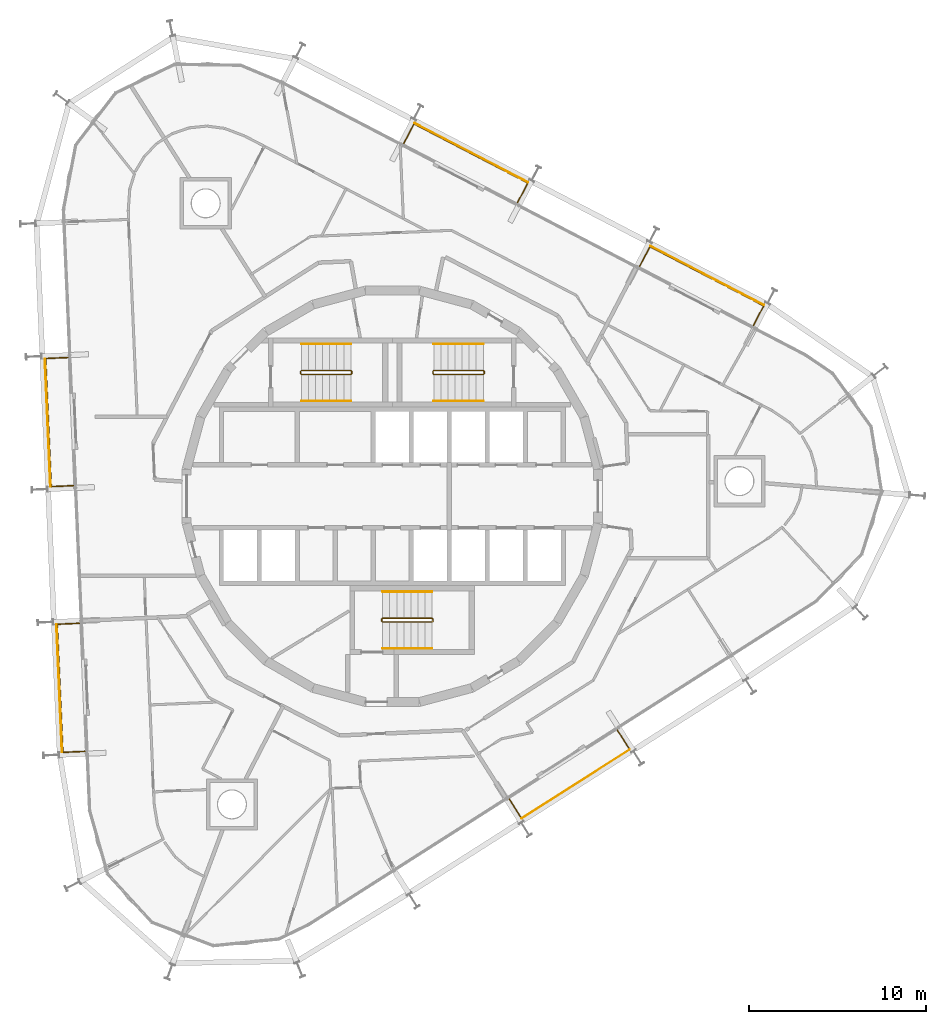
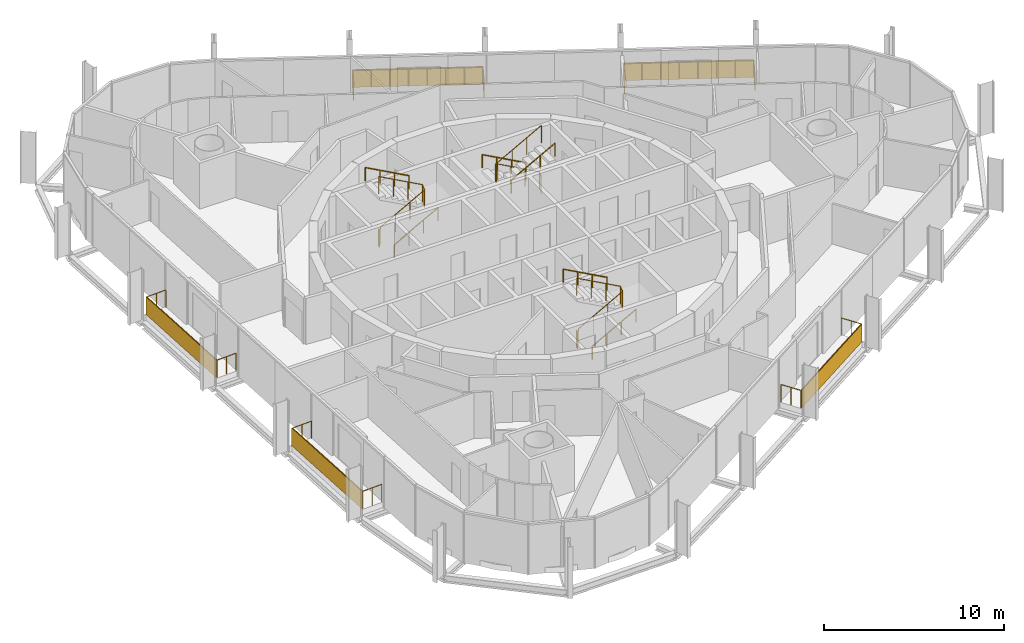
# One storey, part 17 of 17: 14 railings, 5 shading devices.
"""IFC4 building model written with IfcOpenShell, lengths in metres."""

from ifc_helpers import new_model, si_unit, direction, frame, origin, origin_2d, place, context, subcontext, project, spatial, rectangle, circle, extrude, material, layer, layer_set, type_object, element, save


model = new_model("IFC4")

# Units and contexts
model_context = context("Model", 3, precision=1e-05, world=origin(), true_north=direction((0.0, 1.0)))
body_context = subcontext(model_context, "Body", "Model", "MODEL_VIEW")
ifc_project = project(units=[si_unit("LENGTHUNIT", "METRE"), si_unit("AREAUNIT", "SQUARE_METRE"), si_unit("VOLUMEUNIT", "CUBIC_METRE"), si_unit("PLANEANGLEUNIT", "RADIAN"), si_unit("MASSUNIT", "GRAM", prefix="KILO")], contexts=[model_context])

# Site, building, storey
site_placement = place(None, origin())
site = spatial("IfcSite", under=ifc_project, at=site_placement, CompositionType="ELEMENT")
building_placement = place(site_placement, origin())
building = spatial("IfcBuilding", under=site, at=building_placement, Name="Spindle Arch Residences", CompositionType="ELEMENT")
storey_placement = place(building_placement, frame((0.0, 0.0, 237.199951171875)))
storey = spatial("IfcBuildingStorey", under=building, at=storey_placement, Name="L60", CompositionType="ELEMENT", Elevation=237.199951171875)

# Railings
ifc_material_1 = material(Name="Bronze anodised aluminium guard with glass infill", Category="aluminium")
railing_type_1 = type_object("IfcRailingType", Name="Balcony guard 1200", PredefinedType="GUARDRAIL", material=ifc_material_1)
railing_1_placement = place(storey_placement, frame((20.4482421875, 9.675537109375, 0.0)))
element("IfcRailing", 1, at=railing_1_placement, inside=storey, type_object=railing_type_1, Name="Guard L60 bay 6", PredefinedType="GUARDRAIL", context=body_context, shape_type="SweptSolid", body=[
    extrude(circle(Radius=0.02392578125, at=origin_2d()), frame((0.0, 0.0, 1.17578125), z_axis=(0.461684760331, 0.887044069975, 0.0), x_axis=(-0.887044069975, 0.461684760331, 0.0)), (0.0, 0.0, 1.0), 1.25),
    extrude(circle(Radius=0.02392578125, at=origin_2d()), frame((0.5771484375, 1.10888671875, 1.17578125), z_axis=(-0.887010793131, 0.461748690165, 0.0), x_axis=(-0.461748690165, -0.887010793131, 0.0)), (0.0, 0.0, 1.0), 7.260009765625),
    extrude(circle(Radius=0.02392578125, at=origin_2d()), frame((-5.862548828125, 4.461181640625, 1.17578125), z_axis=(-0.461764753675, -0.887002430811, 0.0), x_axis=(0.887002430811, -0.461764753675, 0.0)), (0.0, 0.0, 1.0), 1.249755859375),
    extrude(circle(Radius=0.02099609375, at=origin_2d()), origin(), (0.0, 0.0, 1.0), 1.15185546875),
    extrude(circle(Radius=0.02099609375, at=origin_2d()), frame((0.28857421875, 0.554443359375, 0.0)), (0.0, 0.0, 1.0), 1.15185546875),
    extrude(circle(Radius=0.02099609375, at=origin_2d()), frame((0.5771484375, 1.10888671875, 0.0)), (0.0, 0.0, 1.0), 1.15185546875),
    extrude(circle(Radius=0.02099609375, at=origin_2d()), frame((-0.3427734375, 1.587890625, 0.0)), (0.0, 0.0, 1.0), 1.15185546875),
    extrude(circle(Radius=0.02099609375, at=origin_2d()), frame((-1.2626953125, 2.066650390625, 0.0)), (0.0, 0.0, 1.0), 1.15185546875),
    extrude(circle(Radius=0.02099609375, at=origin_2d()), frame((-2.1826171875, 2.545654296875, 0.0)), (0.0, 0.0, 1.0), 1.15185546875),
    extrude(circle(Radius=0.02099609375, at=origin_2d()), frame((-3.102783203125, 3.0244140625, 0.0)), (0.0, 0.0, 1.0), 1.15185546875),
    extrude(circle(Radius=0.02099609375, at=origin_2d()), frame((-4.022705078125, 3.50341796875, 0.0)), (0.0, 0.0, 1.0), 1.15185546875),
    extrude(circle(Radius=0.02099609375, at=origin_2d()), frame((-4.942626953125, 3.982177734375, 0.0)), (0.0, 0.0, 1.0), 1.15185546875),
    extrude(circle(Radius=0.02099609375, at=origin_2d()), frame((-5.862548828125, 4.461181640625, 0.0)), (0.0, 0.0, 1.0), 1.15185546875),
    extrude(circle(Radius=0.02099609375, at=origin_2d()), frame((-6.151123046875, 3.90673828125, 0.0)), (0.0, 0.0, 1.0), 1.15185546875),
    extrude(circle(Radius=0.02099609375, at=origin_2d()), frame((-6.439697265625, 3.3525390625, 0.0)), (0.0, 0.0, 1.0), 1.15185546875),
])
railing_2_placement = place(storey_placement, frame((7.08984375, 16.629638671875, 0.0)))
element("IfcRailing", 2, at=railing_2_placement, inside=storey, type_object=railing_type_1, Name="Guard L60 bay 8", PredefinedType="GUARDRAIL", context=body_context, shape_type="SweptSolid", body=[
    extrude(circle(Radius=0.02392578125, at=origin_2d()), frame((0.0, 0.0, 1.17578125), z_axis=(0.461764753675, 0.887002430811, 0.0), x_axis=(-0.887002430811, 0.461764753675, 0.0)), (0.0, 0.0, 1.0), 1.249755859375),
    extrude(circle(Radius=0.02392578125, at=origin_2d()), frame((0.5771484375, 1.108642578125, 1.17578125), z_axis=(-0.886997019648, 0.461775147811, 0.0), x_axis=(-0.461775147811, -0.886997019648, 0.0)), (0.0, 0.0, 1.0), 7.260009765625),
    extrude(circle(Radius=0.02392578125, at=origin_2d()), frame((-5.862548828125, 4.461181640625, 1.17578125), z_axis=(-0.461838409324, -0.886964082516, 0.0), x_axis=(0.886964082516, -0.461838409324, 0.0)), (0.0, 0.0, 1.0), 1.250244140625),
    extrude(circle(Radius=0.02099609375, at=origin_2d()), origin(), (0.0, 0.0, 1.0), 1.15185546875),
    extrude(circle(Radius=0.02099609375, at=origin_2d()), frame((0.28857421875, 0.55419921875, 0.0)), (0.0, 0.0, 1.0), 1.15185546875),
    extrude(circle(Radius=0.02099609375, at=origin_2d()), frame((0.5771484375, 1.108642578125, 0.0)), (0.0, 0.0, 1.0), 1.15185546875),
    extrude(circle(Radius=0.02099609375, at=origin_2d()), frame((-0.3427734375, 1.587646484375, 0.0)), (0.0, 0.0, 1.0), 1.15185546875),
    extrude(circle(Radius=0.02099609375, at=origin_2d()), frame((-1.2626953125, 2.06640625, 0.0)), (0.0, 0.0, 1.0), 1.15185546875),
    extrude(circle(Radius=0.02099609375, at=origin_2d()), frame((-2.1826171875, 2.54541015625, 0.0)), (0.0, 0.0, 1.0), 1.15185546875),
    extrude(circle(Radius=0.02099609375, at=origin_2d()), frame((-3.102783203125, 3.0244140625, 0.0)), (0.0, 0.0, 1.0), 1.15185546875),
    extrude(circle(Radius=0.02099609375, at=origin_2d()), frame((-4.022705078125, 3.50341796875, 0.0)), (0.0, 0.0, 1.0), 1.15185546875),
    extrude(circle(Radius=0.02099609375, at=origin_2d()), frame((-4.942626953125, 3.982177734375, 0.0)), (0.0, 0.0, 1.0), 1.15185546875),
    extrude(circle(Radius=0.02099609375, at=origin_2d()), frame((-5.862548828125, 4.461181640625, 0.0)), (0.0, 0.0, 1.0), 1.15185546875),
    extrude(circle(Radius=0.02099609375, at=origin_2d()), frame((-6.1513671875, 3.90673828125, 0.0)), (0.0, 0.0, 1.0), 1.15185546875),
    extrude(circle(Radius=0.02099609375, at=origin_2d()), frame((-6.43994140625, 3.352294921875, 0.0)), (0.0, 0.0, 1.0), 1.15185546875),
])
railing_3_placement = place(storey_placement, frame((-18.384521484375, 7.855712890625, 0.0)))
element("IfcRailing", 3, at=railing_3_placement, inside=storey, type_object=railing_type_1, Name="Guard L60 bay 14", PredefinedType="GUARDRAIL", context=body_context, shape_type="SweptSolid", body=[
    extrude(circle(Radius=0.02392578125, at=origin_2d()), frame((0.0, 0.0, 1.17578125), z_axis=(-0.999042473849, -0.043750833654, 0.0), x_axis=(0.043750833654, -0.999042473849, 0.0)), (0.0, 0.0, 1.0), 1.25),
    extrude(circle(Radius=0.02392578125, at=origin_2d()), frame((-1.248779296875, -0.0546875, 1.17578125), z_axis=(0.043615260597, -0.999048401752, 0.0), x_axis=(0.999048401752, 0.043615260597, 0.0)), (0.0, 0.0, 1.0), 7.260009765625),
    extrude(circle(Radius=0.02392578125, at=origin_2d()), frame((-0.93212890625, -7.307861328125, 1.17578125), z_axis=(0.999042473849, 0.043750833654, 0.0), x_axis=(-0.043750833654, 0.999042473849, 0.0)), (0.0, 0.0, 1.0), 1.25),
    extrude(circle(Radius=0.02099609375, at=origin_2d()), origin(), (0.0, 0.0, 1.0), 1.15185546875),
    extrude(circle(Radius=0.02099609375, at=origin_2d()), frame((-0.62451171875, -0.02734375, 0.0)), (0.0, 0.0, 1.0), 1.15185546875),
    extrude(circle(Radius=0.02099609375, at=origin_2d()), frame((-1.248779296875, -0.0546875, 0.0)), (0.0, 0.0, 1.0), 1.15185546875),
    extrude(circle(Radius=0.02099609375, at=origin_2d()), frame((-1.20361328125, -1.0908203125, 0.0)), (0.0, 0.0, 1.0), 1.15185546875),
    extrude(circle(Radius=0.02099609375, at=origin_2d()), frame((-1.158203125, -2.126953125, 0.0)), (0.0, 0.0, 1.0), 1.15185546875),
    extrude(circle(Radius=0.02099609375, at=origin_2d()), frame((-1.113037109375, -3.1630859375, 0.0)), (0.0, 0.0, 1.0), 1.15185546875),
    extrude(circle(Radius=0.02099609375, at=origin_2d()), frame((-1.06787109375, -4.199462890625, 0.0)), (0.0, 0.0, 1.0), 1.15185546875),
    extrude(circle(Radius=0.02099609375, at=origin_2d()), frame((-1.022705078125, -5.235595703125, 0.0)), (0.0, 0.0, 1.0), 1.15185546875),
    extrude(circle(Radius=0.02099609375, at=origin_2d()), frame((-0.977294921875, -6.271728515625, 0.0)), (0.0, 0.0, 1.0), 1.15185546875),
    extrude(circle(Radius=0.02099609375, at=origin_2d()), frame((-0.93212890625, -7.307861328125, 0.0)), (0.0, 0.0, 1.0), 1.15185546875),
    extrude(circle(Radius=0.02099609375, at=origin_2d()), frame((-0.3076171875, -7.280517578125, 0.0)), (0.0, 0.0, 1.0), 1.15185546875),
    extrude(circle(Radius=0.02099609375, at=origin_2d()), frame((0.316650390625, -7.253173828125, 0.0)), (0.0, 0.0, 1.0), 1.15185546875),
])
railing_4_placement = place(storey_placement, frame((-17.7275390625, -7.190185546875, 0.0)))
element("IfcRailing", 4, at=railing_4_placement, inside=storey, type_object=railing_type_1, Name="Guard L60 bay 16", PredefinedType="GUARDRAIL", context=body_context, shape_type="SweptSolid", body=[
    extrude(circle(Radius=0.02392578125, at=origin_2d()), frame((0.0, 0.0, 1.17578125), z_axis=(-0.999050991967, -0.043555888799, 0.0), x_axis=(0.043555888799, -0.999050991967, 0.0)), (0.0, 0.0, 1.0), 1.25),
    extrude(circle(Radius=0.02392578125, at=origin_2d()), frame((-1.248779296875, -0.054443359375, 1.17578125), z_axis=(0.043615260597, -0.999048401752, 0.0), x_axis=(0.999048401752, 0.043615260597, 0.0)), (0.0, 0.0, 1.0), 7.260009765625),
    extrude(circle(Radius=0.02392578125, at=origin_2d()), frame((-0.93212890625, -7.3076171875, 1.17578125), z_axis=(0.999050991967, 0.043555888799, 0.0), x_axis=(-0.043555888799, 0.999050991967, 0.0)), (0.0, 0.0, 1.0), 1.25),
    extrude(circle(Radius=0.02099609375, at=origin_2d()), origin(), (0.0, 0.0, 1.0), 1.15185546875),
    extrude(circle(Radius=0.02099609375, at=origin_2d()), frame((-0.62451171875, -0.02734375, 0.0)), (0.0, 0.0, 1.0), 1.15185546875),
    extrude(circle(Radius=0.02099609375, at=origin_2d()), frame((-1.248779296875, -0.054443359375, 0.0)), (0.0, 0.0, 1.0), 1.15185546875),
    extrude(circle(Radius=0.02099609375, at=origin_2d()), frame((-1.20361328125, -1.090576171875, 0.0)), (0.0, 0.0, 1.0), 1.15185546875),
    extrude(circle(Radius=0.02099609375, at=origin_2d()), frame((-1.158203125, -2.126708984375, 0.0)), (0.0, 0.0, 1.0), 1.15185546875),
    extrude(circle(Radius=0.02099609375, at=origin_2d()), frame((-1.113037109375, -3.162841796875, 0.0)), (0.0, 0.0, 1.0), 1.15185546875),
    extrude(circle(Radius=0.02099609375, at=origin_2d()), frame((-1.06787109375, -4.19921875, 0.0)), (0.0, 0.0, 1.0), 1.15185546875),
    extrude(circle(Radius=0.02099609375, at=origin_2d()), frame((-1.022705078125, -5.2353515625, 0.0)), (0.0, 0.0, 1.0), 1.15185546875),
    extrude(circle(Radius=0.02099609375, at=origin_2d()), frame((-0.977294921875, -6.271484375, 0.0)), (0.0, 0.0, 1.0), 1.15185546875),
    extrude(circle(Radius=0.02099609375, at=origin_2d()), frame((-0.93212890625, -7.3076171875, 0.0)), (0.0, 0.0, 1.0), 1.15185546875),
    extrude(circle(Radius=0.02099609375, at=origin_2d()), frame((-0.3076171875, -7.2802734375, 0.0)), (0.0, 0.0, 1.0), 1.15185546875),
    extrude(circle(Radius=0.02099609375, at=origin_2d()), frame((0.316650390625, -7.253173828125, 0.0)), (0.0, 0.0, 1.0), 1.15185546875),
])
railing_5_placement = place(storey_placement, frame((6.623046875, -17.152099609375, 0.0)))
element("IfcRailing", 5, at=railing_5_placement, inside=storey, type_object=railing_type_1, Name="Guard L60 bay 22", PredefinedType="GUARDRAIL", context=body_context, shape_type="SweptSolid", body=[
    extrude(circle(Radius=0.02392578125, at=origin_2d()), frame((0.0, 0.0, 1.17578125), z_axis=(0.537317754526, -0.843379885148, 0.0), x_axis=(0.843379885148, 0.537317754526, 0.0)), (0.0, 0.0, 1.0), 1.25),
    extrude(circle(Radius=0.02392578125, at=origin_2d()), frame((0.671630859375, -1.05419921875, 1.17578125), z_axis=(0.843387211604, 0.537306254665, 0.0), x_axis=(-0.537306254665, 0.843387211604, 0.0)), (0.0, 0.0, 1.0), 7.260009765625),
    extrude(circle(Radius=0.02392578125, at=origin_2d()), frame((6.794677734375, 2.8466796875, 1.17578125), z_axis=(-0.537317754526, 0.843379885148, 0.0), x_axis=(-0.843379885148, -0.537317754526, 0.0)), (0.0, 0.0, 1.0), 1.25),
    extrude(circle(Radius=0.02099609375, at=origin_2d()), origin(), (0.0, 0.0, 1.0), 1.15185546875),
    extrude(circle(Radius=0.02099609375, at=origin_2d()), frame((0.3359375, -0.527099609375, 0.0)), (0.0, 0.0, 1.0), 1.15185546875),
    extrude(circle(Radius=0.02099609375, at=origin_2d()), frame((0.671630859375, -1.05419921875, 0.0)), (0.0, 0.0, 1.0), 1.15185546875),
    extrude(circle(Radius=0.02099609375, at=origin_2d()), frame((1.54638671875, -0.496826171875, 0.0)), (0.0, 0.0, 1.0), 1.15185546875),
    extrude(circle(Radius=0.02099609375, at=origin_2d()), frame((2.421142578125, 0.060302734375, 0.0)), (0.0, 0.0, 1.0), 1.15185546875),
    extrude(circle(Radius=0.02099609375, at=origin_2d()), frame((3.2958984375, 0.61767578125, 0.0)), (0.0, 0.0, 1.0), 1.15185546875),
    extrude(circle(Radius=0.02099609375, at=origin_2d()), frame((4.17041015625, 1.1748046875, 0.0)), (0.0, 0.0, 1.0), 1.15185546875),
    extrude(circle(Radius=0.02099609375, at=origin_2d()), frame((5.045166015625, 1.732177734375, 0.0)), (0.0, 0.0, 1.0), 1.15185546875),
    extrude(circle(Radius=0.02099609375, at=origin_2d()), frame((5.919921875, 2.289306640625, 0.0)), (0.0, 0.0, 1.0), 1.15185546875),
    extrude(circle(Radius=0.02099609375, at=origin_2d()), frame((6.794677734375, 2.8466796875, 0.0)), (0.0, 0.0, 1.0), 1.15185546875),
    extrude(circle(Radius=0.02099609375, at=origin_2d()), frame((6.458984375, 3.373779296875, 0.0)), (0.0, 0.0, 1.0), 1.15185546875),
    extrude(circle(Radius=0.02099609375, at=origin_2d()), frame((6.123046875, 3.90087890625, 0.0)), (0.0, 0.0, 1.0), 1.15185546875),
])

# Shading devices
ifc_material_2 = material(Name="Bronze perforated cobogo screen")
ifc_layer = layer(ifc_material_2, 0.0390625)
ifc_layer_set = layer_set([ifc_layer], Name="Cobogo screen 1200")
shading_device_type = type_object("IfcShadingDeviceType", Name="Cobogo screen 1200", PredefinedType="USERDEFINED", material=ifc_layer_set)
for number, where, z_axis, x_axis, name in (
    (6, (17.82421875, 12.49658203125, 0.0), (0.0, 0.0, 1.0), (-0.887010833178, 0.461748613235, 0.0), "Cobogo screen L60 bay 6"),
    (7, (4.4658203125, 19.450439453125, 0.0), (0.0, 0.0, 1.0), (-0.887010833178, 0.461748613235, 0.0), "Cobogo screen L60 bay 8"),
    (8, (-19.515380859375, 4.1728515625, 0.0), (0.0, 0.0, 1.0), (0.043619387365, -0.999048221582, 0.0), "Cobogo screen L60 bay 14"),
    (9, (-18.858642578125, -10.873046875, 0.0), (0.0, 0.0, 1.0), (0.043619387365, -0.999048221582, 0.0), "Cobogo screen L60 bay 16"),
    (10, (10.3779296875, -16.2900390625, 0.0), (0.0, 0.0, 1.0), (0.843391445813, 0.537299608347, 0.0), "Cobogo screen L60 bay 22"),
):
    element("IfcShadingDevice", number, at=place(storey_placement, frame(where, z_axis=z_axis, x_axis=x_axis)), inside=storey, type_object=shading_device_type, Name=name, ObjectType="SCREEN", PredefinedType="USERDEFINED", context=body_context, shape_type="SweptSolid", body=[
        extrude(rectangle(XDim=7.260009765625, YDim=0.0390625, at=origin_2d()), origin(), (0.0, 0.0, 1.0), 1.199951171875),
    ])

# Railings
ifc_material_3 = material(Name="Steel, painted", Category="steel")
railing_type_2 = type_object("IfcRailingType", Name="Stair guard 1100", PredefinedType="GUARDRAIL", material=ifc_material_3)
railing_6_placement = place(storey_placement, frame((5.14990234375, 6.89990234375, 3.5)))
element("IfcRailing", 11, at=railing_6_placement, inside=storey, type_object=railing_type_2, Name="L60 ST1 stair guard 1", PredefinedType="GUARDRAIL", context=body_context, shape_type="SweptSolid", body=[
    extrude(circle(Radius=0.02392578125, at=origin_2d()), frame((0.0, 0.0, 1.17578125), z_axis=(-0.877357048833, 0.0, -0.479838106931), x_axis=(0.0, -1.0, 0.0)), (0.0, 0.0, 1.0), 3.191162109375),
    extrude(circle(Radius=0.02392578125, at=origin_2d()), frame((-2.7998046875, 0.0, -0.35546875), z_axis=(-0.217683172539, 0.217683172539, -0.951434744366), x_axis=(-0.707106781187, -0.707106781187, 0.0)), (0.0, 0.0, 1.0), 0.22998046875),
    extrude(circle(Radius=0.02392578125, at=origin_2d()), frame((-2.849853515625, 0.050048828125, -0.57421875), z_axis=(0.0, 1.0, 0.0), x_axis=(-1.0, 0.0, 0.0)), (0.0, 0.0, 1.0), 0.1201171875),
    extrude(circle(Radius=0.02392578125, at=origin_2d()), frame((-2.849853515625, 0.170166015625, -0.57421875), z_axis=(0.707106781187, 0.707106781187, 0.0), x_axis=(-0.707106781187, 0.707106781187, 0.0)), (0.0, 0.0, 1.0), 0.07080078125),
    extrude(circle(Radius=0.02392578125, at=origin_2d()), frame((-2.7998046875, 0.22021484375, -0.57421875), z_axis=(0.877357048833, 0.0, -0.479838106931), x_axis=(0.0, 1.0, 0.0)), (0.0, 0.0, 1.0), 3.191162109375),
    extrude(circle(Radius=0.02392578125, at=origin_2d()), frame((0.0, 0.22021484375, -2.10546875), z_axis=(0.217683172539, -0.217683172539, -0.951434744366), x_axis=(0.707106781187, 0.707106781187, 0.0)), (0.0, 0.0, 1.0), 0.22998046875),
    extrude(circle(Radius=0.02392578125, at=origin_2d()), frame((0.050048828125, 0.170166015625, -2.32421875), z_axis=(0.0, -1.0, 0.0), x_axis=(1.0, 0.0, 0.0)), (0.0, 0.0, 1.0), 0.1201171875),
    extrude(circle(Radius=0.02099609375, at=origin_2d()), origin(), (0.0, 0.0, 1.0), 1.15185546875),
    extrude(circle(Radius=0.02099609375, at=origin_2d()), frame((-0.933349609375, 0.0, -0.510498046875)), (0.0, 0.0, 1.0), 1.15185546875),
    extrude(circle(Radius=0.02099609375, at=origin_2d()), frame((-1.866455078125, 0.0, -1.020751953125)), (0.0, 0.0, 1.0), 1.15185546875),
    extrude(circle(Radius=0.02099609375, at=origin_2d()), frame((-2.7998046875, 0.0, -1.53125)), (0.0, 0.0, 1.0), 1.15185546875),
    extrude(circle(Radius=0.02099609375, at=origin_2d()), frame((-2.849853515625, 0.050048828125, -1.75)), (0.0, 0.0, 1.0), 1.15185546875),
    extrude(circle(Radius=0.02099609375, at=origin_2d()), frame((-2.849853515625, 0.170166015625, -1.75)), (0.0, 0.0, 1.0), 1.15185546875),
    extrude(circle(Radius=0.02099609375, at=origin_2d()), frame((-2.7998046875, 0.22021484375, -1.75)), (0.0, 0.0, 1.0), 1.15185546875),
    extrude(circle(Radius=0.02099609375, at=origin_2d()), frame((-1.866455078125, 0.22021484375, -2.260498046875)), (0.0, 0.0, 1.0), 1.15185546875),
    extrude(circle(Radius=0.02099609375, at=origin_2d()), frame((-0.933349609375, 0.22021484375, -2.770751953125)), (0.0, 0.0, 1.0), 1.15185546875),
    extrude(circle(Radius=0.02099609375, at=origin_2d()), frame((0.0, 0.22021484375, -3.28125)), (0.0, 0.0, 1.0), 1.15185546875),
    extrude(circle(Radius=0.02099609375, at=origin_2d()), frame((0.050048828125, 0.170166015625, -3.5)), (0.0, 0.0, 1.0), 1.15185546875),
    extrude(circle(Radius=0.02099609375, at=origin_2d()), frame((0.050048828125, 0.050048828125, -3.5)), (0.0, 0.0, 1.0), 1.15185546875),
])
railing_7_placement = place(storey_placement, frame((-5.14990234375, 7.1201171875, 3.5)))
element("IfcRailing", 12, at=railing_7_placement, inside=storey, type_object=railing_type_2, Name="L60 ST2 stair guard 1", PredefinedType="GUARDRAIL", context=body_context, shape_type="SweptSolid", body=[
    extrude(circle(Radius=0.02392578125, at=origin_2d()), frame((0.0, 0.0, 1.17578125), z_axis=(0.877357048833, 0.0, -0.479838106931), x_axis=(0.0, 1.0, 0.0)), (0.0, 0.0, 1.0), 3.191162109375),
    extrude(circle(Radius=0.02392578125, at=origin_2d()), frame((2.7998046875, 0.0, -0.35546875), z_axis=(0.217683172539, -0.217683172539, -0.951434744366), x_axis=(0.707106781187, 0.707106781187, 0.0)), (0.0, 0.0, 1.0), 0.22998046875),
    extrude(circle(Radius=0.02392578125, at=origin_2d()), frame((2.849853515625, -0.050048828125, -0.57421875), z_axis=(0.0, -1.0, 0.0), x_axis=(1.0, 0.0, 0.0)), (0.0, 0.0, 1.0), 0.1201171875),
    extrude(circle(Radius=0.02392578125, at=origin_2d()), frame((2.849853515625, -0.170166015625, -0.57421875), z_axis=(-0.707106781187, -0.707106781187, 0.0), x_axis=(0.707106781187, -0.707106781187, 0.0)), (0.0, 0.0, 1.0), 0.07080078125),
    extrude(circle(Radius=0.02392578125, at=origin_2d()), frame((2.7998046875, -0.22021484375, -0.57421875), z_axis=(-0.877357048833, 0.0, -0.479838106931), x_axis=(0.0, -1.0, 0.0)), (0.0, 0.0, 1.0), 3.191162109375),
    extrude(circle(Radius=0.02392578125, at=origin_2d()), frame((0.0, -0.22021484375, -2.10546875), z_axis=(-0.217683172539, 0.217683172539, -0.951434744366), x_axis=(-0.707106781187, -0.707106781187, 0.0)), (0.0, 0.0, 1.0), 0.22998046875),
    extrude(circle(Radius=0.02392578125, at=origin_2d()), frame((-0.050048828125, -0.170166015625, -2.32421875), z_axis=(0.0, 1.0, 0.0), x_axis=(-1.0, 0.0, 0.0)), (0.0, 0.0, 1.0), 0.1201171875),
    extrude(circle(Radius=0.02099609375, at=origin_2d()), origin(), (0.0, 0.0, 1.0), 1.15185546875),
    extrude(circle(Radius=0.02099609375, at=origin_2d()), frame((0.933349609375, 0.0, -0.510498046875)), (0.0, 0.0, 1.0), 1.15185546875),
    extrude(circle(Radius=0.02099609375, at=origin_2d()), frame((1.866455078125, 0.0, -1.020751953125)), (0.0, 0.0, 1.0), 1.15185546875),
    extrude(circle(Radius=0.02099609375, at=origin_2d()), frame((2.7998046875, 0.0, -1.53125)), (0.0, 0.0, 1.0), 1.15185546875),
    extrude(circle(Radius=0.02099609375, at=origin_2d()), frame((2.849853515625, -0.050048828125, -1.75)), (0.0, 0.0, 1.0), 1.15185546875),
    extrude(circle(Radius=0.02099609375, at=origin_2d()), frame((2.849853515625, -0.170166015625, -1.75)), (0.0, 0.0, 1.0), 1.15185546875),
    extrude(circle(Radius=0.02099609375, at=origin_2d()), frame((2.7998046875, -0.22021484375, -1.75)), (0.0, 0.0, 1.0), 1.15185546875),
    extrude(circle(Radius=0.02099609375, at=origin_2d()), frame((1.866455078125, -0.22021484375, -2.260498046875)), (0.0, 0.0, 1.0), 1.15185546875),
    extrude(circle(Radius=0.02099609375, at=origin_2d()), frame((0.933349609375, -0.22021484375, -2.770751953125)), (0.0, 0.0, 1.0), 1.15185546875),
    extrude(circle(Radius=0.02099609375, at=origin_2d()), frame((0.0, -0.22021484375, -3.28125)), (0.0, 0.0, 1.0), 1.15185546875),
    extrude(circle(Radius=0.02099609375, at=origin_2d()), frame((-0.050048828125, -0.170166015625, -3.5)), (0.0, 0.0, 1.0), 1.15185546875),
    extrude(circle(Radius=0.02099609375, at=origin_2d()), frame((-0.050048828125, -0.050048828125, -3.5)), (0.0, 0.0, 1.0), 1.15185546875),
])
railing_8_placement = place(storey_placement, frame((-0.550048828125, -6.89990234375, 3.5)))
element("IfcRailing", 13, at=railing_8_placement, inside=storey, type_object=railing_type_2, Name="L60 ST3 stair guard 1", PredefinedType="GUARDRAIL", context=body_context, shape_type="SweptSolid", body=[
    extrude(circle(Radius=0.02392578125, at=origin_2d()), frame((0.0, 0.0, 1.17578125), z_axis=(0.877374661878, 0.0, -0.479805901063), x_axis=(0.0, 1.0, 0.0)), (0.0, 0.0, 1.0), 3.19140625),
    extrude(circle(Radius=0.02392578125, at=origin_2d()), frame((2.800048828125, 0.0, -0.35546875), z_axis=(0.217683172539, -0.217683172539, -0.951434744366), x_axis=(0.707106781187, 0.707106781187, 0.0)), (0.0, 0.0, 1.0), 0.22998046875),
    extrude(circle(Radius=0.02392578125, at=origin_2d()), frame((2.85009765625, -0.050048828125, -0.57421875), z_axis=(0.0, -1.0, 0.0), x_axis=(1.0, 0.0, 0.0)), (0.0, 0.0, 1.0), 0.1201171875),
    extrude(circle(Radius=0.02392578125, at=origin_2d()), frame((2.85009765625, -0.170166015625, -0.57421875), z_axis=(-0.707106781187, -0.707106781187, 0.0), x_axis=(0.707106781187, -0.707106781187, 0.0)), (0.0, 0.0, 1.0), 0.07080078125),
    extrude(circle(Radius=0.02392578125, at=origin_2d()), frame((2.800048828125, -0.22021484375, -0.57421875), z_axis=(-0.877374661878, 0.0, -0.479805901063), x_axis=(0.0, -1.0, 0.0)), (0.0, 0.0, 1.0), 3.19140625),
    extrude(circle(Radius=0.02392578125, at=origin_2d()), frame((0.0, -0.22021484375, -2.10546875), z_axis=(-0.217683172539, 0.217683172539, -0.951434744366), x_axis=(-0.707106781187, -0.707106781187, 0.0)), (0.0, 0.0, 1.0), 0.22998046875),
    extrude(circle(Radius=0.02392578125, at=origin_2d()), frame((-0.050048828125, -0.170166015625, -2.32421875), z_axis=(0.0, 1.0, 0.0), x_axis=(-1.0, 0.0, 0.0)), (0.0, 0.0, 1.0), 0.1201171875),
    extrude(circle(Radius=0.02099609375, at=origin_2d()), origin(), (0.0, 0.0, 1.0), 1.15185546875),
    extrude(circle(Radius=0.02099609375, at=origin_2d()), frame((0.933349609375, 0.0, -0.510498046875)), (0.0, 0.0, 1.0), 1.15185546875),
    extrude(circle(Radius=0.02099609375, at=origin_2d()), frame((1.86669921875, 0.0, -1.020751953125)), (0.0, 0.0, 1.0), 1.15185546875),
    extrude(circle(Radius=0.02099609375, at=origin_2d()), frame((2.800048828125, 0.0, -1.53125)), (0.0, 0.0, 1.0), 1.15185546875),
    extrude(circle(Radius=0.02099609375, at=origin_2d()), frame((2.85009765625, -0.050048828125, -1.75)), (0.0, 0.0, 1.0), 1.15185546875),
    extrude(circle(Radius=0.02099609375, at=origin_2d()), frame((2.85009765625, -0.170166015625, -1.75)), (0.0, 0.0, 1.0), 1.15185546875),
    extrude(circle(Radius=0.02099609375, at=origin_2d()), frame((2.800048828125, -0.22021484375, -1.75)), (0.0, 0.0, 1.0), 1.15185546875),
    extrude(circle(Radius=0.02099609375, at=origin_2d()), frame((1.86669921875, -0.22021484375, -2.260498046875)), (0.0, 0.0, 1.0), 1.15185546875),
    extrude(circle(Radius=0.02099609375, at=origin_2d()), frame((0.933349609375, -0.22021484375, -2.770751953125)), (0.0, 0.0, 1.0), 1.15185546875),
    extrude(circle(Radius=0.02099609375, at=origin_2d()), frame((0.0, -0.22021484375, -3.28125)), (0.0, 0.0, 1.0), 1.15185546875),
    extrude(circle(Radius=0.02099609375, at=origin_2d()), frame((-0.050048828125, -0.170166015625, -3.5)), (0.0, 0.0, 1.0), 1.15185546875),
    extrude(circle(Radius=0.02099609375, at=origin_2d()), frame((-0.050048828125, -0.050048828125, -3.5)), (0.0, 0.0, 1.0), 1.15185546875),
])
ifc_material_4 = material(Name="Steel, painted", Category="steel")
railing_type_3 = type_object("IfcRailingType", Name="Stair handrail 900", PredefinedType="HANDRAIL", material=ifc_material_4)
railing_9_placement = place(storey_placement, frame((5.14990234375, 8.6201171875, 0.21875)))
element("IfcRailing", 14, at=railing_9_placement, inside=storey, type_object=railing_type_3, Name="L60 ST1 stair handrail 1", PredefinedType="HANDRAIL", context=body_context, shape_type="SweptSolid", body=[
    extrude(circle(Radius=0.02392578125, at=origin_2d()), frame((0.0, 0.0, 0.8759765625), z_axis=(-0.877357048833, 0.0, 0.479838106931), x_axis=(0.0, -1.0, 0.0)), (0.0, 0.0, 1.0), 3.191162109375),
    extrude(circle(Radius=0.02099609375, at=origin_2d()), origin(), (0.0, 0.0, 1.0), 0.851806640625),
    extrude(circle(Radius=0.02099609375, at=origin_2d()), frame((-0.933349609375, 0.0, 0.510498046875)), (0.0, 0.0, 1.0), 0.851806640625),
    extrude(circle(Radius=0.02099609375, at=origin_2d()), frame((-1.866455078125, 0.0, 1.020751953125)), (0.0, 0.0, 1.0), 0.851806640625),
    extrude(circle(Radius=0.02099609375, at=origin_2d()), frame((-2.7998046875, 0.0, 1.53125)), (0.0, 0.0, 1.0), 0.851806640625),
])
for number, where, name in (
    (15, (2.35009765625, 5.39990234375, 1.96875), "L60 ST1 stair handrail 2"),
    (16, (-5.14990234375, 5.39990234375, 0.21875), "L60 ST2 stair handrail 1"),
):
    element("IfcRailing", number, at=place(storey_placement, frame(where)), inside=storey, type_object=railing_type_3, Name=name, PredefinedType="HANDRAIL", context=body_context, shape_type="SweptSolid", body=[
        extrude(circle(Radius=0.02392578125, at=origin_2d()), frame((0.0, 0.0, 0.8759765625), z_axis=(0.877357048833, 0.0, 0.479838106931), x_axis=(0.0, 1.0, 0.0)), (0.0, 0.0, 1.0), 3.191162109375),
        extrude(circle(Radius=0.02099609375, at=origin_2d()), origin(), (0.0, 0.0, 1.0), 0.851806640625),
        extrude(circle(Radius=0.02099609375, at=origin_2d()), frame((0.933349609375, 0.0, 0.510498046875)), (0.0, 0.0, 1.0), 0.851806640625),
        extrude(circle(Radius=0.02099609375, at=origin_2d()), frame((1.866455078125, 0.0, 1.020751953125)), (0.0, 0.0, 1.0), 0.851806640625),
        extrude(circle(Radius=0.02099609375, at=origin_2d()), frame((2.7998046875, 0.0, 1.53125)), (0.0, 0.0, 1.0), 0.851806640625),
    ])
railing_10_placement = place(storey_placement, frame((-2.35009765625, 8.6201171875, 1.96875)))
element("IfcRailing", 17, at=railing_10_placement, inside=storey, type_object=railing_type_3, Name="L60 ST2 stair handrail 2", PredefinedType="HANDRAIL", context=body_context, shape_type="SweptSolid", body=[
    extrude(circle(Radius=0.02392578125, at=origin_2d()), frame((0.0, 0.0, 0.8759765625), z_axis=(-0.877357048833, 0.0, 0.479838106931), x_axis=(0.0, -1.0, 0.0)), (0.0, 0.0, 1.0), 3.191162109375),
    extrude(circle(Radius=0.02099609375, at=origin_2d()), origin(), (0.0, 0.0, 1.0), 0.851806640625),
    extrude(circle(Radius=0.02099609375, at=origin_2d()), frame((-0.933349609375, 0.0, 0.510498046875)), (0.0, 0.0, 1.0), 0.851806640625),
    extrude(circle(Radius=0.02099609375, at=origin_2d()), frame((-1.866455078125, 0.0, 1.020751953125)), (0.0, 0.0, 1.0), 0.851806640625),
    extrude(circle(Radius=0.02099609375, at=origin_2d()), frame((-2.7998046875, 0.0, 1.53125)), (0.0, 0.0, 1.0), 0.851806640625),
])
railing_11_placement = place(storey_placement, frame((-0.550048828125, -8.6201171875, 0.21875)))
element("IfcRailing", 18, at=railing_11_placement, inside=storey, type_object=railing_type_3, Name="L60 ST3 stair handrail 1", PredefinedType="HANDRAIL", context=body_context, shape_type="SweptSolid", body=[
    extrude(circle(Radius=0.02392578125, at=origin_2d()), frame((0.0, 0.0, 0.8759765625), z_axis=(0.877374661878, 0.0, 0.479805901063), x_axis=(0.0, 1.0, 0.0)), (0.0, 0.0, 1.0), 3.19140625),
    extrude(circle(Radius=0.02099609375, at=origin_2d()), origin(), (0.0, 0.0, 1.0), 0.851806640625),
    extrude(circle(Radius=0.02099609375, at=origin_2d()), frame((0.933349609375, 0.0, 0.510498046875)), (0.0, 0.0, 1.0), 0.851806640625),
    extrude(circle(Radius=0.02099609375, at=origin_2d()), frame((1.86669921875, 0.0, 1.020751953125)), (0.0, 0.0, 1.0), 0.851806640625),
    extrude(circle(Radius=0.02099609375, at=origin_2d()), frame((2.800048828125, 0.0, 1.53125)), (0.0, 0.0, 1.0), 0.851806640625),
])
railing_12_placement = place(storey_placement, frame((2.25, -5.39990234375, 1.96875)))
element("IfcRailing", 19, at=railing_12_placement, inside=storey, type_object=railing_type_3, Name="L60 ST3 stair handrail 2", PredefinedType="HANDRAIL", context=body_context, shape_type="SweptSolid", body=[
    extrude(circle(Radius=0.02392578125, at=origin_2d()), frame((0.0, 0.0, 0.8759765625), z_axis=(-0.877374661878, 0.0, 0.479805901063), x_axis=(0.0, -1.0, 0.0)), (0.0, 0.0, 1.0), 3.19140625),
    extrude(circle(Radius=0.02099609375, at=origin_2d()), origin(), (0.0, 0.0, 1.0), 0.851806640625),
    extrude(circle(Radius=0.02099609375, at=origin_2d()), frame((-0.933349609375, 0.0, 0.510498046875)), (0.0, 0.0, 1.0), 0.851806640625),
    extrude(circle(Radius=0.02099609375, at=origin_2d()), frame((-1.86669921875, 0.0, 1.020751953125)), (0.0, 0.0, 1.0), 0.851806640625),
    extrude(circle(Radius=0.02099609375, at=origin_2d()), frame((-2.800048828125, 0.0, 1.53125)), (0.0, 0.0, 1.0), 0.851806640625),
])

save(model, "model.ifc")
